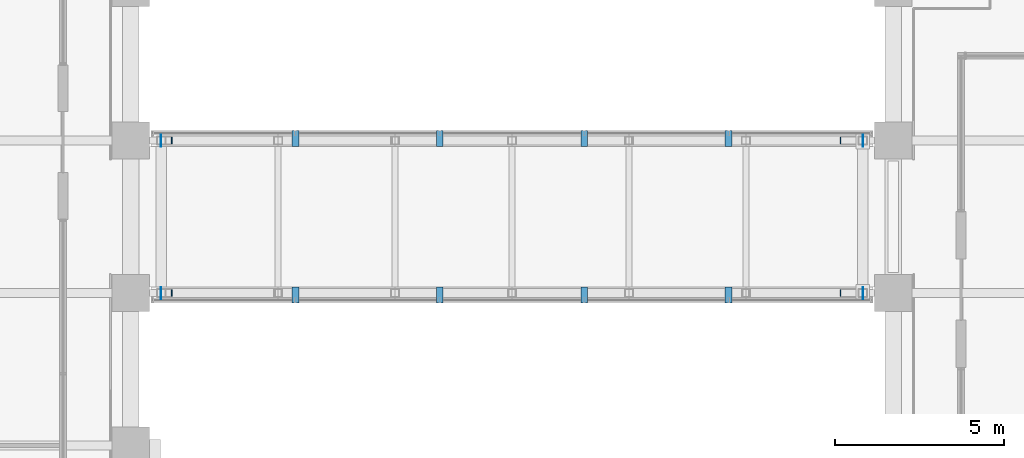
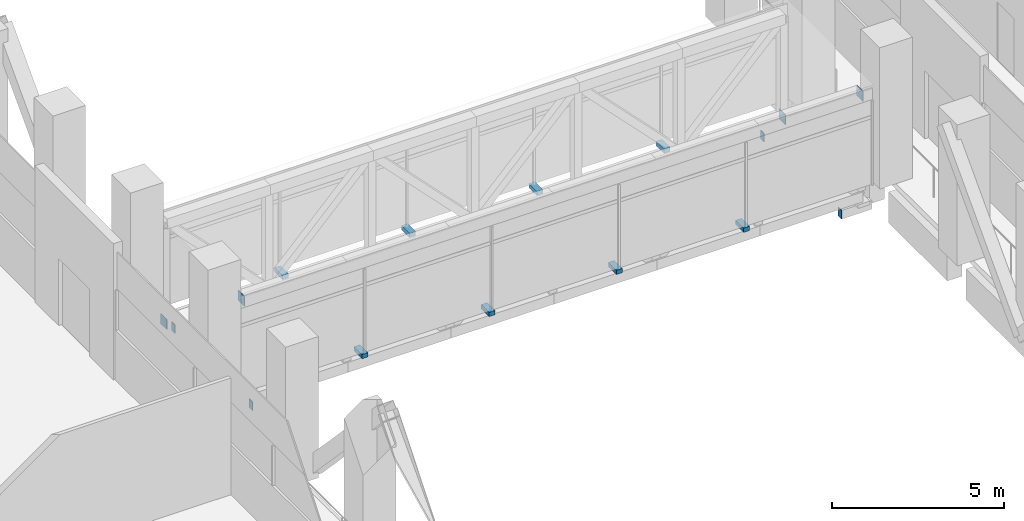
# One storey, part 42 of 44: 16 discrete accessories.
"""IFC4 building model written with IfcOpenShell, lengths in metres."""

import ifcopenshell
import ifcopenshell.guid

model = None  # the IFC model being written
_history = None  # IfcOwnerHistory: only IFC2X3 demands one
_inside = {}  # id of a spatial element -> (the spatial element, [elements in it])
_under = {}  # id of a project, library or spatial element -> (it, [spatial elements below it])
_declared = {}  # id of a project -> (the project, [libraries it declares])
_typed = {}  # id of a type object -> (the type object, [elements of that type])
_made_of = {}  # id of a material, layer set ... -> (it, [elements and type objects made of it])


def new_model(schema):
    """Start an empty IFC model of exactly this schema.

    Asked for "IFC4X3", IfcOpenShell would pick the latest addendum, in which some entities
    have other attributes; the version numbers below select the first issue.
    IFC2X3 requires an IfcOwnerHistory on every rooted entity: one is made here for all.
    """
    global model, _history
    if schema == "IFC4X3":
        model = ifcopenshell.file(schema_version=(4, 3, 0, 0))
    else:
        model = ifcopenshell.file(schema=schema)
    _inside.clear()
    _under.clear()
    _declared.clear()
    _typed.clear()
    _made_of.clear()
    _history = None
    if model.schema == "IFC2X3":
        org = make("IfcOrganization", Name="unknown")
        user = make(
            "IfcPersonAndOrganization",
            ThePerson=make("IfcPerson", FamilyName="unknown"),
            TheOrganization=org,
        )
        app = make(
            "IfcApplication",
            ApplicationDeveloper=org,
            Version="unknown",
            ApplicationFullName="unknown",
            ApplicationIdentifier="unknown",
        )
        _history = make(
            "IfcOwnerHistory",
            OwningUser=user,
            OwningApplication=app,
            ChangeAction="ADDED",
            CreationDate=0,
        )
    return model


def make(cls, **values):
    """One entity of the class cls with the attributes given. An attribute that is None is left unset."""
    return model.create_entity(
        cls, **{name: value for name, value in values.items() if value is not None}
    )


def rooted(cls, **values):
    """An entity with a GlobalId (a new one), such as an element, a storey or a relation."""
    return make(cls, GlobalId=ifcopenshell.guid.new(), OwnerHistory=_history, **values)


def si_unit(unit_type, name, prefix=None):
    """IfcSIUnit, for example si_unit("LENGTHUNIT", "METRE", prefix="MILLI")."""
    return make("IfcSIUnit", UnitType=unit_type, Prefix=prefix, Name=name)


def assignment(units):
    """IfcUnitAssignment: the units of a project."""
    return None if units is None else make("IfcUnitAssignment", Units=units)


def point(xyz):
    """IfcCartesianPoint."""
    return None if xyz is None else make("IfcCartesianPoint", Coordinates=xyz)


def direction(xyz):
    """IfcDirection."""
    return None if xyz is None else make("IfcDirection", DirectionRatios=xyz)


def frame(location, z_axis=None, x_axis=None):
    """IfcAxis2Placement3D, a coordinate frame: its origin and axes. An axis left out is left unset."""
    return make(
        "IfcAxis2Placement3D",
        Location=point(location),
        Axis=direction(z_axis),
        RefDirection=direction(x_axis),
    )


def frame_2d(location, x_axis=None):
    """IfcAxis2Placement2D, a coordinate frame in the plane: its origin and x axis."""
    return make(
        "IfcAxis2Placement2D", Location=point(location), RefDirection=direction(x_axis)
    )


def origin():
    """The frame at (0, 0, 0) with its axes left unset."""
    return frame((0.0, 0.0, 0.0))


def origin_2d():
    """The frame at (0, 0) in the plane with its x axis left unset."""
    return frame_2d((0.0, 0.0))


def place(relative_to, where):
    """IfcLocalPlacement: puts the frame where relative to a parent placement (None: the world)."""
    return make(
        "IfcLocalPlacement", PlacementRelTo=relative_to, RelativePlacement=where
    )


def context(
    kind, dimensions, precision=None, world=None, true_north=None, identifier=None
):
    """IfcGeometricRepresentationContext, for example the 3D "Model" context."""
    return make(
        "IfcGeometricRepresentationContext",
        ContextIdentifier=identifier,
        ContextType=kind,
        CoordinateSpaceDimension=dimensions,
        Precision=precision,
        WorldCoordinateSystem=world,
        TrueNorth=true_north,
    )


def subcontext(parent, identifier, kind, view, scale=None):
    """IfcGeometricRepresentationSubContext, for example "Body" below "Model"."""
    return make(
        "IfcGeometricRepresentationSubContext",
        ContextIdentifier=identifier,
        ContextType=kind,
        ParentContext=parent,
        TargetScale=scale,
        TargetView=view,
    )


def project(units=None, contexts=None):
    """IfcProject with its units and contexts."""
    return rooted(
        "IfcProject",
        Name="project",
        RepresentationContexts=contexts,
        UnitsInContext=assignment(units),
    )


def spatial(cls, under=None, at=None, **own):
    """A site, building, storey or space (cls), placed at a placement, below another one or the project."""
    s = rooted(cls, ObjectPlacement=at, **own)
    if under is not None:
        _under.setdefault(under.id(), (under, []))[1].append(s)
    return s


def profile(cls, at=None, kind="AREA", **sizes):
    """A parametric profile (cls). Its sizes go by their IFC names, for example OverallWidth=200.0."""
    return make(cls, ProfileType=kind, Position=at, **sizes)


def rectangle(**sizes):
    """IfcRectangleProfileDef."""
    return profile("IfcRectangleProfileDef", **sizes)


def extrude(swept, where, along, depth):
    """IfcExtrudedAreaSolid: the profile swept, set in the frame where, extruded along a direction by depth."""
    return make(
        "IfcExtrudedAreaSolid",
        SweptArea=swept,
        Position=where,
        ExtrudedDirection=direction(along),
        Depth=depth,
    )


def shape(context_of_items, identifier, shape_type, items):
    """IfcShapeRepresentation: the items that make up one representation, for example the "Body"."""
    return make(
        "IfcShapeRepresentation",
        ContextOfItems=context_of_items,
        RepresentationIdentifier=identifier,
        RepresentationType=shape_type,
        Items=items,
    )


def made_of(thing, what):
    """Note that an element or type object is made of a material, layer set ...; save() writes the relation."""
    if what is not None:
        _made_of.setdefault(what.id(), (what, []))[1].append(thing)
    return thing


def element(
    cls,
    number,
    at=None,
    inside=None,
    cuts=None,
    type_object=None,
    material=None,
    context=None,
    identifier="Body",
    shape_type=None,
    held_by="IfcProductDefinitionShape",
    body=None,
    shapes=None,
    **own,
):
    """One element of the class cls, such as IfcWall. Its Tag is "e" and its number.

    at: its placement. inside: the storey or other place that contains it. cuts: it is an
    opening in that element (IfcRelVoidsElement). A single representation is given by context,
    identifier, shape_type and body (its items); several are given by shapes. held_by: the class
    of the entity that holds the representations. save() writes the other relations.
    """
    e = rooted(cls, Tag="e%d" % number, ObjectPlacement=at, **own)
    if body is not None:
        shapes = [shape(context, identifier, shape_type, body)]
    if shapes is not None:
        e.Representation = make(held_by, Representations=shapes)
    if inside is not None:
        _inside.setdefault(inside.id(), (inside, []))[1].append(e)
    if cuts is not None:
        rooted(
            "IfcRelVoidsElement", RelatingBuildingElement=cuts, RelatedOpeningElement=e
        )
    if type_object is not None:
        _typed.setdefault(type_object.id(), (type_object, []))[1].append(e)
    return made_of(e, material)


def aggregate(whole, parts):
    """IfcRelAggregates: a whole, such as a stair, and the parts it consists of."""
    return rooted("IfcRelAggregates", RelatingObject=whole, RelatedObjects=parts)


def save(model, path):
    """Write the relations noted so far, then the file.

    IfcRelAggregates (storeys below a building ...), IfcRelContainedInSpatialStructure (elements
    in a storey), IfcRelDefinesByType, IfcRelAssociatesMaterial and IfcRelDeclares: one each for
    every whole, place, type object, material and project.
    """
    for whole, parts in _under.values():
        aggregate(whole, parts)
    for where, things in _inside.values():
        rooted(
            "IfcRelContainedInSpatialStructure",
            RelatedElements=things,
            RelatingStructure=where,
        )
    for kind, things in _typed.values():
        rooted("IfcRelDefinesByType", RelatedObjects=things, RelatingType=kind)
    for what, things in _made_of.values():
        rooted("IfcRelAssociatesMaterial", RelatedObjects=things, RelatingMaterial=what)
    for by, libraries in _declared.values():
        rooted("IfcRelDeclares", RelatingContext=by, RelatedDefinitions=libraries)
    model.write(path)


model = new_model("IFC4")

# Units and contexts
model_context = context("Model", 3, precision=1e-05, world=origin(), true_north=direction((0.0, 1.0)))
body_context = subcontext(model_context, "Body", "Model", "MODEL_VIEW")
ifc_project = project(units=[si_unit("LENGTHUNIT", "METRE"), si_unit("AREAUNIT", "SQUARE_METRE"), si_unit("VOLUMEUNIT", "CUBIC_METRE"), si_unit("PLANEANGLEUNIT", "RADIAN"), si_unit("MASSUNIT", "GRAM", prefix="KILO")], contexts=[model_context])

# Site, building, storey
site_placement = place(None, origin())
site = spatial("IfcSite", under=ifc_project, at=site_placement, CompositionType="ELEMENT")
building_placement = place(site_placement, origin())
building = spatial("IfcBuilding", under=site, at=building_placement, Name="Altepetl Exchange Towers", CompositionType="ELEMENT")
storey_placement = place(building_placement, frame((0.0, 0.0, 87.0)))
storey = spatial("IfcBuildingStorey", under=building, at=storey_placement, Name="L21 Refuge", CompositionType="ELEMENT", Elevation=87.0)

# Discrete accessories
discrete_accessory_1_placement = place(storey_placement, frame((72.889892578125, 45.0, 3.0), z_axis=(0.0, 0.0, 1.0), x_axis=(-1.0, 0.0, 0.0)))
element("IfcDiscreteAccessory", 1, at=discrete_accessory_1_placement, inside=storey, Name="End cap plate", ObjectType="END CAP PLATE", PredefinedType="USERDEFINED", context=body_context, shape_type="SweptSolid", body=[
    extrude(rectangle(XDim=0.02001953125, YDim=0.35595703125, at=origin_2d()), origin(), (0.0, 0.0, 1.0), 0.35595703125),
])
discrete_accessory_2_placement = place(storey_placement, frame((93.610107421875, 45.0, 3.0)))
element("IfcDiscreteAccessory", 2, at=discrete_accessory_2_placement, inside=storey, Name="End cap plate", ObjectType="END CAP PLATE", PredefinedType="USERDEFINED", context=body_context, shape_type="SweptSolid", body=[
    extrude(rectangle(XDim=0.02001953125, YDim=0.35595703125, at=origin_2d()), origin(), (0.0, 0.0, 1.0), 0.35595703125),
])
discrete_accessory_3_placement = place(storey_placement, frame((72.889892578125, 49.5, -0.555908203125), z_axis=(0.0, 0.0, 1.0), x_axis=(-1.0, 0.0, 0.0)))
element("IfcDiscreteAccessory", 3, at=discrete_accessory_3_placement, inside=storey, Name="End cap plate", ObjectType="END CAP PLATE", PredefinedType="USERDEFINED", context=body_context, shape_type="SweptSolid", body=[
    extrude(rectangle(XDim=0.02001953125, YDim=0.35595703125, at=origin_2d()), origin(), (0.0, 0.0, 1.0), 0.35595703125),
])
discrete_accessory_4_placement = place(storey_placement, frame((93.610107421875, 49.5, -0.555908203125)))
element("IfcDiscreteAccessory", 4, at=discrete_accessory_4_placement, inside=storey, Name="End cap plate", ObjectType="END CAP PLATE", PredefinedType="USERDEFINED", context=body_context, shape_type="SweptSolid", body=[
    extrude(rectangle(XDim=0.02001953125, YDim=0.35595703125, at=origin_2d()), origin(), (0.0, 0.0, 1.0), 0.35595703125),
])
for number, where, name in (
    (5, (73.2099609375, 45.0, -0.86083984375), "End cap plate"),
    (6, (73.2099609375, 49.5, -0.86083984375), "End cap plate"),
):
    element("IfcDiscreteAccessory", number, at=place(storey_placement, frame(where)), inside=storey, Name=name, ObjectType="END CAP PLATE", PredefinedType="USERDEFINED", context=body_context, shape_type="SweptSolid", body=[
        extrude(rectangle(XDim=0.02001953125, YDim=0.202880859375, at=origin_2d()), origin(), (0.0, 0.0, 1.0), 0.304931640625),
    ])
for number, where, z_axis, x_axis, name in (
    (7, (92.93994140625, 45.0, -0.98095703125), (0.0, 0.0, 1.0), (-1.0, 0.0, 0.0), "End cap plate"),
    (8, (92.93994140625, 49.5, -0.98095703125), (0.0, 0.0, 1.0), (-1.0, 0.0, 0.0), "End cap plate"),
):
    element("IfcDiscreteAccessory", number, at=place(storey_placement, frame(where, z_axis=z_axis, x_axis=x_axis)), inside=storey, Name=name, ObjectType="END CAP PLATE", PredefinedType="USERDEFINED", context=body_context, shape_type="SweptSolid", body=[
        extrude(rectangle(XDim=0.02001953125, YDim=0.202880859375, at=origin_2d()), origin(), (0.0, 0.0, 1.0), 0.304931640625),
    ])
for number, where, name in (
    (9, (76.860107421875, 44.944091796875, -0.14990234375), "Glazing bracket"),
    (10, (81.1201171875, 44.944091796875, -0.14990234375), "Glazing bracket"),
    (11, (85.3798828125, 44.944091796875, -0.14990234375), "Glazing bracket"),
    (12, (89.639892578125, 44.944091796875, -0.14990234375), "Glazing bracket"),
    (13, (76.860107421875, 49.555908203125, -0.14990234375), "Glazing bracket"),
    (14, (81.1201171875, 49.555908203125, -0.14990234375), "Glazing bracket"),
    (15, (85.3798828125, 49.555908203125, -0.14990234375), "Glazing bracket"),
    (16, (89.639892578125, 49.555908203125, -0.14990234375), "Glazing bracket"),
):
    element("IfcDiscreteAccessory", number, at=place(storey_placement, frame(where)), inside=storey, Name=name, PredefinedType="BRACKET", context=body_context, shape_type="SweptSolid", body=[
        extrude(rectangle(XDim=0.199951171875, YDim=0.468017578125, at=origin_2d()), origin(), (0.0, 0.0, 1.0), 0.14990234375),
    ])

save(model, "model.ifc")
